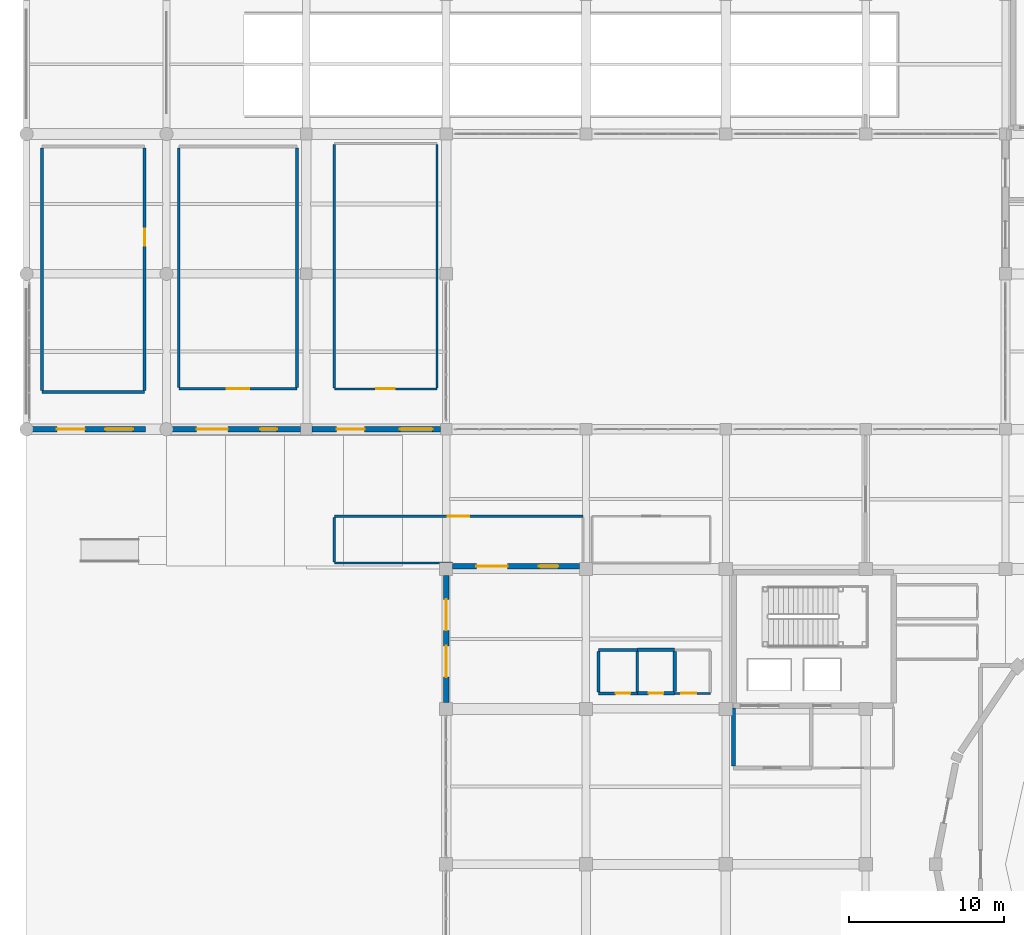
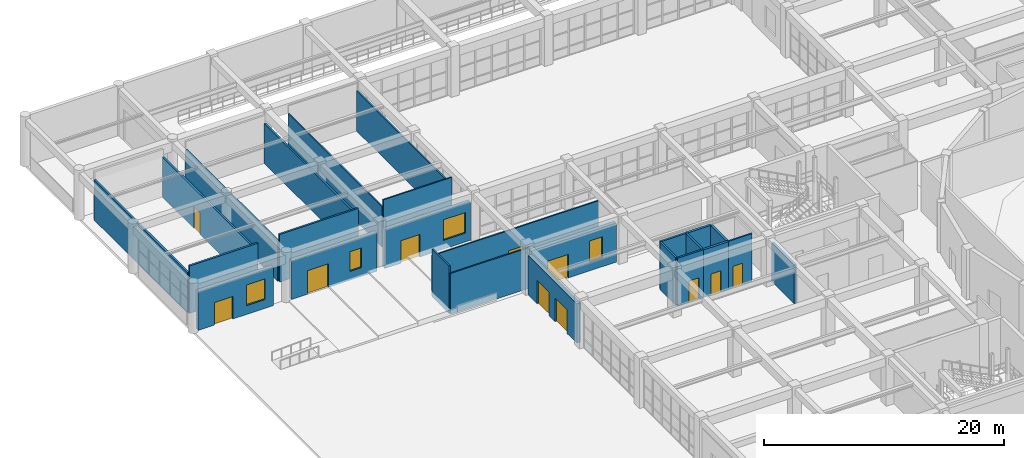
# One storey, part 106 of 128: 26 walls, 13 doors, 4 windows, 17 openings.
"""IFC4 building model written with IfcOpenShell, lengths in metres."""

from ifc_helpers import new_model, si_unit, direction, frame, frame_2d, origin, place, context, subcontext, project, spatial, rectangle, extrude, material, layer, layer_set, type_object, element, fill, save


model = new_model("IFC4")

# Units and contexts
model_context = context("Model", 3, precision=1e-05, world=origin(), true_north=direction((0.0, 1.0)))
body_context = subcontext(model_context, "Body", "Model", "MODEL_VIEW")
ifc_project = project(units=[si_unit("LENGTHUNIT", "METRE"), si_unit("AREAUNIT", "SQUARE_METRE"), si_unit("VOLUMEUNIT", "CUBIC_METRE"), si_unit("PLANEANGLEUNIT", "RADIAN"), si_unit("MASSUNIT", "GRAM", prefix="KILO")], contexts=[model_context])

# Site, building, storey
site_placement = place(None, origin())
site = spatial("IfcSite", under=ifc_project, at=site_placement, CompositionType="ELEMENT")
building_placement = place(site_placement, origin())
building = spatial("IfcBuilding", under=site, at=building_placement, Name="Miravela Opera House", CompositionType="ELEMENT")
storey_placement = place(building_placement, origin())
storey = spatial("IfcBuildingStorey", under=building, at=storey_placement, Name="L00", CompositionType="ELEMENT", Elevation=0.0)

# Wall, openings, doors
ifc_material_1 = material(Name="Dark Guatemalan volcanic basalt stone ashlar", Category="masonry")
ifc_layer_1 = layer(ifc_material_1, 0.360107421875)
ifc_layer_set_1 = layer_set([ifc_layer_1])
wall_type_1 = type_object("IfcWallType", Name="ARC-EW-BASALT-360", PredefinedType="STANDARD", material=ifc_layer_set_1)
wall_1_placement = place(storey_placement, frame((27.0, 66.425048828125, 0.0), z_axis=(0.0, 0.0, 1.0), x_axis=(0.0, 1.0, 0.0)))
wall_1 = element("IfcWall", 1, at=wall_1_placement, inside=storey, type_object=wall_type_1, Name="West Foyer North Basalt Entrance Portal", PredefinedType="STANDARD", context=body_context, shape_type="SweptSolid", body=[
    extrude(rectangle(XDim=8.14990234375, YDim=0.360107421875, at=frame_2d((4.074951171875, 0.0))), origin(), (0.0, 0.0, 1.0), 4.0),
])
opening_1_placement = place(wall_1_placement, frame((1.625, 0.0, 0.0)))
opening_1 = element("IfcOpeningElement", 2, at=opening_1_placement, cuts=wall_1, Name="Opening EX-01", PredefinedType="OPENING", context=body_context, shape_type="SweptSolid", body=[
    extrude(rectangle(XDim=2.0, YDim=2.39990234375, at=frame_2d((1.0, 1.199951171875))), frame((0.0, 0.18994140625, 0.0), z_axis=(0.0, -1.0, 0.0), x_axis=(1.0, 0.0, 0.0)), (0.0, 0.0, 1.0), 0.380126953125),
])
opening_2_placement = place(wall_1_placement, frame((4.625, 0.0, 0.0)))
opening_2 = element("IfcOpeningElement", 3, at=opening_2_placement, cuts=wall_1, Name="Opening EX-01", PredefinedType="OPENING", context=body_context, shape_type="SweptSolid", body=[
    extrude(rectangle(XDim=2.0, YDim=2.39990234375, at=frame_2d((1.0, 1.199951171875))), frame((0.0, 0.18994140625, 0.0), z_axis=(0.0, -1.0, 0.0), x_axis=(1.0, 0.0, 0.0)), (0.0, 0.0, 1.0), 0.380126953125),
])
ifc_material_2 = material(Name="Anodised architectural bronze aluminium 6063-T6", Category="aluminium")
door_type_1 = type_object("IfcDoorType", Name="ARC-EXD-2000X2400", OperationType="NOTDEFINED", PredefinedType="DOOR", material=ifc_material_2)
door_1_placement = place(opening_1_placement, origin())
door_1 = element("IfcDoor", 4, at=door_1_placement, inside=storey, type_object=door_type_1, Name="Grand Foyer West Exit Door North 1 EXD-L00-003", OperationType="DOUBLE_DOOR_SINGLE_SWING", OverallHeight=2.39990234375, OverallWidth=2.0, PredefinedType="DOOR", context=body_context, shape_type="SweptSolid", body=[
    extrude(rectangle(XDim=2.0, YDim=2.39990234375, at=frame_2d((1.0, 1.199951171875))), frame((0.0, 0.02490234375, 0.0), z_axis=(0.0, -1.0, 0.0), x_axis=(1.0, 0.0, 0.0)), (0.0, 0.0, 1.0), 0.050048828125),
])
fill(opening_1, door_1)
door_2_placement = place(opening_2_placement, origin())
door_2 = element("IfcDoor", 5, at=door_2_placement, inside=storey, type_object=door_type_1, Name="Grand Foyer West Exit Door North 2 EXD-L00-004", OperationType="DOUBLE_DOOR_SINGLE_SWING", OverallHeight=2.39990234375, OverallWidth=2.0, PredefinedType="DOOR", context=body_context, shape_type="SweptSolid", body=[
    extrude(rectangle(XDim=2.0, YDim=2.39990234375, at=frame_2d((1.0, 1.199951171875))), frame((0.0, 0.02490234375, 0.0), z_axis=(0.0, -1.0, 0.0), x_axis=(1.0, 0.0, 0.0)), (0.0, 0.0, 1.0), 0.050048828125),
])
fill(opening_2, door_2)

# Wall, openings, door, window
wall_2_placement = place(storey_placement, frame((0.39111328125, 84.0, 0.0), z_axis=(0.0, 0.0, 1.0), x_axis=(1.0, 0.0, 0.0)))
wall_2 = element("IfcWall", 6, at=wall_2_placement, inside=storey, type_object=wall_type_1, Name="West Arcade North Forecourt Exit Wall", PredefinedType="STANDARD", context=body_context, shape_type="SweptSolid", body=[
    extrude(rectangle(XDim=7.2587890625, YDim=0.360107421875, at=frame_2d((3.62939453125, 0.0))), origin(), (0.0, 0.0, 1.0), 3.929931640625),
])
opening_3_placement = place(wall_2_placement, frame((1.55908203125, 0.0, 0.0)))
opening_3 = element("IfcOpeningElement", 7, at=opening_3_placement, cuts=wall_2, Name="Opening EX-02", PredefinedType="OPENING", context=body_context, shape_type="SweptSolid", body=[
    extrude(rectangle(XDim=1.800048828125, YDim=2.300048828125, at=frame_2d((0.89990234375, 1.14990234375))), frame((0.0, 0.18994140625, 0.0), z_axis=(0.0, -1.0, 0.0), x_axis=(1.0, 0.0, 0.0)), (0.0, 0.0, 1.0), 0.380126953125),
])
opening_4_placement = place(wall_2_placement, frame((4.658935546875, 0.0, 0.89990234375)))
opening_4 = element("IfcOpeningElement", 8, at=opening_4_placement, cuts=wall_2, Name="Opening W-03", PredefinedType="OPENING", context=body_context, shape_type="SweptSolid", body=[
    extrude(rectangle(XDim=1.800048828125, YDim=2.10009765625, at=frame_2d((0.89990234375, 1.050048828125))), frame((0.0, 0.18994140625, 0.0), z_axis=(0.0, -1.0, 0.0), x_axis=(1.0, 0.0, 0.0)), (0.0, 0.0, 1.0), 0.380126953125),
])
door_type_2 = type_object("IfcDoorType", Name="ARC-EXD-1800X2300", OperationType="NOTDEFINED", PredefinedType="DOOR", material=ifc_material_2)
door_3_placement = place(opening_3_placement, frame((1.800048828125, 0.0, 0.0), z_axis=(0.0, 0.0, 1.0), x_axis=(-1.0, 0.0, 0.0)))
door_3 = element("IfcDoor", 9, at=door_3_placement, inside=storey, type_object=door_type_2, Name="West Arcade North Forecourt Exit EXD-L00-008", OperationType="DOUBLE_DOOR_SINGLE_SWING", OverallHeight=2.300048828125, OverallWidth=1.800048828125, PredefinedType="DOOR", context=body_context, shape_type="SweptSolid", body=[
    extrude(rectangle(XDim=1.800048828125, YDim=2.300048828125, at=frame_2d((0.89990234375, 1.14990234375))), frame((0.0, 0.02490234375, 0.0), z_axis=(0.0, -1.0, 0.0), x_axis=(1.0, 0.0, 0.0)), (0.0, 0.0, 1.0), 0.050048828125),
])
fill(opening_3, door_3)
ifc_material_3 = material(Name="Bronze-anodised aluminium and acoustic low-E glass", Category="aluminium")
window_type_1 = type_object("IfcWindowType", Name="ARC-WIN-03", PartitioningType="DOUBLE_PANEL_VERTICAL", PredefinedType="WINDOW", material=ifc_material_3)
window_1_placement = place(opening_4_placement, origin())
window_1 = element("IfcWindow", 10, at=window_1_placement, inside=storey, type_object=window_type_1, Name="Window W-03 #003", OverallHeight=2.10009765625, OverallWidth=1.800048828125, PartitioningType="DOUBLE_PANEL_VERTICAL", PredefinedType="WINDOW", context=body_context, shape_type="SweptSolid", body=[
    extrude(rectangle(XDim=1.800048828125, YDim=2.10009765625, at=frame_2d((0.89990234375, 1.050048828125))), frame((0.0, 0.030029296875, 0.0), z_axis=(0.0, -1.0, 0.0), x_axis=(1.0, 0.0, 0.0)), (0.0, 0.0, 1.0), 0.06005859375),
])
fill(opening_4, window_1)

wall_3_placement = place(storey_placement, frame((18.375, 84.0, 0.0), z_axis=(0.0, 0.0, 1.0), x_axis=(1.0, 0.0, 0.0)))
wall_3 = element("IfcWall", 11, at=wall_3_placement, inside=storey, type_object=wall_type_1, Name="North Foyer Forecourt Exit Wall", PredefinedType="STANDARD", context=body_context, shape_type="SweptSolid", body=[
    extrude(rectangle(XDim=8.25, YDim=0.360107421875, at=frame_2d((4.125, 0.0))), origin(), (0.0, 0.0, 1.0), 3.929931640625),
])
opening_5_placement = place(wall_3_placement, frame((1.574951171875, 0.0, 0.0)))
opening_5 = element("IfcOpeningElement", 12, at=opening_5_placement, cuts=wall_3, Name="Opening EX-02", PredefinedType="OPENING", context=body_context, shape_type="SweptSolid", body=[
    extrude(rectangle(XDim=1.800048828125, YDim=2.300048828125, at=frame_2d((0.89990234375, 1.14990234375))), frame((0.0, 0.18994140625, 0.0), z_axis=(0.0, -1.0, 0.0), x_axis=(1.0, 0.0, 0.0)), (0.0, 0.0, 1.0), 0.380126953125),
])
opening_6_placement = place(wall_3_placement, frame((5.64990234375, 0.0, 0.89990234375)))
opening_6 = element("IfcOpeningElement", 13, at=opening_6_placement, cuts=wall_3, Name="Opening W-04", PredefinedType="OPENING", context=body_context, shape_type="SweptSolid", body=[
    extrude(rectangle(XDim=2.10009765625, YDim=2.10009765625, at=frame_2d((1.050048828125, 1.050048828125))), frame((0.0, 0.18994140625, 0.0), z_axis=(0.0, -1.0, 0.0), x_axis=(1.0, 0.0, 0.0)), (0.0, 0.0, 1.0), 0.380126953125),
])
door_4_placement = place(opening_5_placement, frame((1.800048828125, 0.0, 0.0), z_axis=(0.0, 0.0, 1.0), x_axis=(-1.0, 0.0, 0.0)))
door_4 = element("IfcDoor", 14, at=door_4_placement, inside=storey, type_object=door_type_2, Name="North Foyer Forecourt Exit EXD-L00-009", OperationType="DOUBLE_DOOR_SINGLE_SWING", OverallHeight=2.300048828125, OverallWidth=1.800048828125, PredefinedType="DOOR", context=body_context, shape_type="SweptSolid", body=[
    extrude(rectangle(XDim=1.800048828125, YDim=2.300048828125, at=frame_2d((0.89990234375, 1.14990234375))), frame((0.0, 0.02490234375, 0.0), z_axis=(0.0, -1.0, 0.0), x_axis=(1.0, 0.0, 0.0)), (0.0, 0.0, 1.0), 0.050048828125),
])
fill(opening_5, door_4)
window_type_2 = type_object("IfcWindowType", Name="ARC-WIN-04", PartitioningType="TRIPLE_PANEL_VERTICAL", PredefinedType="WINDOW", material=ifc_material_3)
window_2_placement = place(opening_6_placement, origin())
window_2 = element("IfcWindow", 15, at=window_2_placement, inside=storey, type_object=window_type_2, Name="Window W-04 #004", OverallHeight=2.10009765625, OverallWidth=2.10009765625, PartitioningType="TRIPLE_PANEL_VERTICAL", PredefinedType="WINDOW", context=body_context, shape_type="SweptSolid", body=[
    extrude(rectangle(XDim=2.10009765625, YDim=2.10009765625, at=frame_2d((1.050048828125, 1.050048828125))), frame((0.0, 0.030029296875, 0.0), z_axis=(0.0, -1.0, 0.0), x_axis=(1.0, 0.0, 0.0)), (0.0, 0.0, 1.0), 0.06005859375),
])
fill(opening_6, window_2)

wall_4_placement = place(storey_placement, frame((9.39111328125, 84.0, 0.0), z_axis=(0.0, 0.0, 1.0), x_axis=(1.0, 0.0, 0.0)))
wall_4 = element("IfcWall", 16, at=wall_4_placement, inside=storey, type_object=wall_type_1, Name="North Arcade Forecourt Exit Wall", PredefinedType="STANDARD", context=body_context, shape_type="SweptSolid", body=[
    extrude(rectangle(XDim=8.23388671875, YDim=0.360107421875, at=frame_2d((4.116943359375, 0.0))), origin(), (0.0, 0.0, 1.0), 3.929931640625),
])
opening_7_placement = place(wall_4_placement, frame((1.55908203125, 0.0, 0.0)))
opening_7 = element("IfcOpeningElement", 17, at=opening_7_placement, cuts=wall_4, Name="Opening EX-01", PredefinedType="OPENING", context=body_context, shape_type="SweptSolid", body=[
    extrude(rectangle(XDim=2.0, YDim=2.39990234375, at=frame_2d((1.0, 1.199951171875))), frame((0.0, 0.18994140625, 0.0), z_axis=(0.0, -1.0, 0.0), x_axis=(1.0, 0.0, 0.0)), (0.0, 0.0, 1.0), 0.380126953125),
])
opening_8_placement = place(wall_4_placement, frame((5.634033203125, 0.0, 0.89990234375)))
opening_8 = element("IfcOpeningElement", 18, at=opening_8_placement, cuts=wall_4, Name="Opening W-22", PredefinedType="OPENING", context=body_context, shape_type="SweptSolid", body=[
    extrude(rectangle(XDim=1.10009765625, YDim=2.0, at=frame_2d((0.550048828125, 1.0))), frame((0.0, 0.18994140625, 0.0), z_axis=(0.0, -1.0, 0.0), x_axis=(1.0, 0.0, 0.0)), (0.0, 0.0, 1.0), 0.380126953125),
])
door_5_placement = place(opening_7_placement, frame((2.0, 0.0, 0.0), z_axis=(0.0, 0.0, 1.0), x_axis=(-1.0, 0.0, 0.0)))
door_5 = element("IfcDoor", 19, at=door_5_placement, inside=storey, type_object=door_type_1, Name="North Arcade Forecourt Exit EXD-L00-021", OperationType="DOUBLE_DOOR_SINGLE_SWING", OverallHeight=2.39990234375, OverallWidth=2.0, PredefinedType="DOOR", context=body_context, shape_type="SweptSolid", body=[
    extrude(rectangle(XDim=2.0, YDim=2.39990234375, at=frame_2d((1.0, 1.199951171875))), frame((0.0, 0.02490234375, 0.0), z_axis=(0.0, -1.0, 0.0), x_axis=(1.0, 0.0, 0.0)), (0.0, 0.0, 1.0), 0.050048828125),
])
fill(opening_7, door_5)
window_type_3 = type_object("IfcWindowType", Name="ARC-WIN-22", PartitioningType="SINGLE_PANEL", PredefinedType="WINDOW", material=ifc_material_3)
window_3_placement = place(opening_8_placement, origin())
window_3 = element("IfcWindow", 20, at=window_3_placement, inside=storey, type_object=window_type_3, Name="Window W-22 #016", OverallHeight=2.0, OverallWidth=1.10009765625, PartitioningType="SINGLE_PANEL", PredefinedType="WINDOW", context=body_context, shape_type="SweptSolid", body=[
    extrude(rectangle(XDim=1.10009765625, YDim=2.0, at=frame_2d((0.550048828125, 1.0))), frame((0.0, 0.030029296875, 0.0), z_axis=(0.0, -1.0, 0.0), x_axis=(1.0, 0.0, 0.0)), (0.0, 0.0, 1.0), 0.06005859375),
])
fill(opening_8, window_3)

wall_5_placement = place(storey_placement, frame((27.425048828125, 75.179931640625, 0.0), z_axis=(0.0, 0.0, 1.0), x_axis=(1.0, 0.0, 0.0)))
wall_5 = element("IfcWall", 21, at=wall_5_placement, inside=storey, type_object=wall_type_1, Name="Court of Honour Promenade Exit Wall", PredefinedType="STANDARD", context=body_context, shape_type="SweptSolid", body=[
    extrude(rectangle(XDim=8.14990234375, YDim=0.360107421875, at=frame_2d((4.074951171875, 0.0))), origin(), (0.0, 0.0, 1.0), 3.97998046875),
])
opening_9_placement = place(wall_5_placement, frame((1.52490234375, 0.0, 0.0)))
opening_9 = element("IfcOpeningElement", 22, at=opening_9_placement, cuts=wall_5, Name="Opening EX-01", PredefinedType="OPENING", context=body_context, shape_type="SweptSolid", body=[
    extrude(rectangle(XDim=2.0, YDim=2.39990234375, at=frame_2d((1.0, 1.199951171875))), frame((0.0, 0.18994140625, 0.0), z_axis=(0.0, -1.0, 0.0), x_axis=(1.0, 0.0, 0.0)), (0.0, 0.0, 1.0), 0.380126953125),
])
opening_10_placement = place(wall_5_placement, frame((5.550048828125, 0.0, 0.89990234375)))
opening_10 = element("IfcOpeningElement", 23, at=opening_10_placement, cuts=wall_5, Name="Opening W-23", PredefinedType="OPENING", context=body_context, shape_type="SweptSolid", body=[
    extrude(rectangle(XDim=1.25, YDim=2.14990234375, at=frame_2d((0.625, 1.074951171875))), frame((0.0, 0.18994140625, 0.0), z_axis=(0.0, -1.0, 0.0), x_axis=(1.0, 0.0, 0.0)), (0.0, 0.0, 1.0), 0.380126953125),
])
door_6_placement = place(opening_9_placement, origin())
door_6 = element("IfcDoor", 24, at=door_6_placement, inside=storey, type_object=door_type_1, Name="Court of Honour Promenade Exit EXD-L00-022", OperationType="DOUBLE_DOOR_SINGLE_SWING", OverallHeight=2.39990234375, OverallWidth=2.0, PredefinedType="DOOR", context=body_context, shape_type="SweptSolid", body=[
    extrude(rectangle(XDim=2.0, YDim=2.39990234375, at=frame_2d((1.0, 1.199951171875))), frame((0.0, 0.02490234375, 0.0), z_axis=(0.0, -1.0, 0.0), x_axis=(1.0, 0.0, 0.0)), (0.0, 0.0, 1.0), 0.050048828125),
])
fill(opening_9, door_6)
window_type_4 = type_object("IfcWindowType", Name="ARC-WIN-23", PartitioningType="SINGLE_PANEL", PredefinedType="WINDOW", material=ifc_material_3)
window_4_placement = place(opening_10_placement, origin())
window_4 = element("IfcWindow", 25, at=window_4_placement, inside=storey, type_object=window_type_4, Name="Window W-23 #017", OverallHeight=2.14990234375, OverallWidth=1.25, PartitioningType="SINGLE_PANEL", PredefinedType="WINDOW", context=body_context, shape_type="SweptSolid", body=[
    extrude(rectangle(XDim=1.25, YDim=2.14990234375, at=frame_2d((0.625, 1.074951171875))), frame((0.0, 0.030029296875, 0.0), z_axis=(0.0, -1.0, 0.0), x_axis=(1.0, 0.0, 0.0)), (0.0, 0.0, 1.0), 0.06005859375),
])
fill(opening_10, window_4)

# Wall, opening, door
ifc_material_4 = material(Name="Sanitary chase acoustic plumbing wall")
ifc_layer_2 = layer(ifc_material_4, 0.139892578125)
ifc_layer_set_2 = layer_set([ifc_layer_2])
wall_type_2 = type_object("IfcWallType", Name="ARC-PLW-150", PredefinedType="PLUMBINGWALL", material=ifc_layer_set_2)
wall_6_placement = place(storey_placement, frame((41.699951171875, 67.0, 0.0), z_axis=(0.0, 0.0, 1.0), x_axis=(1.0, 0.0, 0.0)))
wall_6 = element("IfcWall", 26, at=wall_6_placement, inside=storey, type_object=wall_type_2, Name="Male Public WC L00 Partition South", PredefinedType="PLUMBINGWALL", context=body_context, shape_type="SweptSolid", body=[
    extrude(rectangle(XDim=2.300048828125, YDim=0.139892578125, at=frame_2d((1.14990234375, 0.0))), origin(), (0.0, 0.0, 1.0), 4.85009765625),
])
opening_11_placement = place(wall_6_placement, frame((0.4326171875, 0.0, 0.0)))
opening_11 = element("IfcOpeningElement", 27, at=opening_11_placement, cuts=wall_6, Name="Opening ID-01", PredefinedType="OPENING", context=body_context, shape_type="SweptSolid", body=[
    extrude(rectangle(XDim=0.949951171875, YDim=2.14990234375, at=frame_2d((0.47509765625, 1.074951171875))), frame((0.0, 0.079833984375, 0.0), z_axis=(0.0, -1.0, 0.0), x_axis=(1.0, 0.0, 0.0)), (0.0, 0.0, 1.0), 0.159912109375),
])
ifc_material_5 = material(Name="Solid mahogany acoustic room door")
door_type_3 = type_object("IfcDoorType", Name="ARC-DR-950X2150", OperationType="NOTDEFINED", PredefinedType="DOOR", material=ifc_material_5)
door_7_placement = place(opening_11_placement, origin())
door_7 = element("IfcDoor", 28, at=door_7_placement, inside=storey, type_object=door_type_3, Name="Male Public WC L00 Entry Door IDR-L00-0095", OperationType="SINGLE_SWING_LEFT", OverallHeight=2.14990234375, OverallWidth=0.949951171875, PredefinedType="DOOR", context=body_context, shape_type="SweptSolid", body=[
    extrude(rectangle(XDim=0.949951171875, YDim=2.14990234375, at=frame_2d((0.47509765625, 1.074951171875))), frame((0.0, 0.02490234375, 0.0), z_axis=(0.0, -1.0, 0.0), x_axis=(1.0, 0.0, 0.0)), (0.0, 0.0, 1.0), 0.050048828125),
])
fill(opening_11, door_7)

ifc_material_6 = material(Name="Public washroom wet-service chase wall")
ifc_layer_3 = layer(ifc_material_6, 0.179931640625)
ifc_layer_set_3 = layer_set([ifc_layer_3])
wall_type_3 = type_object("IfcWallType", Name="ARC-PLW-180", PredefinedType="PLUMBINGWALL", material=ifc_layer_set_3)
wall_7_placement = place(storey_placement, frame((36.800048828125, 67.0, 0.0), z_axis=(0.0, 0.0, 1.0), x_axis=(1.0, 0.0, 0.0)))
wall_7 = element("IfcWall", 29, at=wall_7_placement, inside=storey, type_object=wall_type_3, Name="Accessible WC L00 Partition South", PredefinedType="PLUMBINGWALL", context=body_context, shape_type="SweptSolid", body=[
    extrude(rectangle(XDim=2.5, YDim=0.179931640625, at=frame_2d((1.25, 0.0))), origin(), (0.0, 0.0, 1.0), 4.85009765625),
])
opening_12_placement = place(wall_7_placement, frame((1.1123046875, 0.0, 0.0)))
opening_12 = element("IfcOpeningElement", 30, at=opening_12_placement, cuts=wall_7, Name="Opening ID-01", PredefinedType="OPENING", context=body_context, shape_type="SweptSolid", body=[
    extrude(rectangle(XDim=0.949951171875, YDim=2.14990234375, at=frame_2d((0.47509765625, 1.074951171875))), frame((0.0, 0.099853515625, 0.0), z_axis=(0.0, -1.0, 0.0), x_axis=(1.0, 0.0, 0.0)), (0.0, 0.0, 1.0), 0.199951171875),
])
door_8_placement = place(opening_12_placement, origin())
door_8 = element("IfcDoor", 31, at=door_8_placement, inside=storey, type_object=door_type_3, Name="Accessible WC L00 Entry Door IDR-L00-0093", OperationType="SINGLE_SWING_LEFT", OverallHeight=2.14990234375, OverallWidth=0.949951171875, PredefinedType="DOOR", context=body_context, shape_type="SweptSolid", body=[
    extrude(rectangle(XDim=0.949951171875, YDim=2.14990234375, at=frame_2d((0.47509765625, 1.074951171875))), frame((0.0, 0.02490234375, 0.0), z_axis=(0.0, -1.0, 0.0), x_axis=(1.0, 0.0, 0.0)), (0.0, 0.0, 1.0), 0.050048828125),
])
fill(opening_12, door_8)

# Walls
wall_8_placement = place(storey_placement, frame((36.800048828125, 69.800048828125, 0.0), z_axis=(0.0, 0.0, 1.0), x_axis=(1.0, 0.0, 0.0)))
element("IfcWall", 32, at=wall_8_placement, inside=storey, type_object=wall_type_3, Name="Accessible WC L00 Partition North", PredefinedType="PLUMBINGWALL", context=body_context, shape_type="SweptSolid", body=[
    extrude(rectangle(XDim=2.5, YDim=0.179931640625, at=frame_2d((1.25, 0.0))), origin(), (0.0, 0.0, 1.0), 4.85009765625),
])
for number, where, z_axis, x_axis, name in (
    (33, (36.800048828125, 67.090087890625, 0.0), (0.0, 0.0, 1.0), (0.0, 1.0, 0.0), "Accessible WC L00 Partition West"),
    (34, (39.300048828125, 67.090087890625, 0.0), (0.0, 0.0, 1.0), (0.0, 1.0, 0.0), "Accessible WC L00 Partition East"),
):
    element("IfcWall", number, at=place(storey_placement, frame(where, z_axis=z_axis, x_axis=x_axis)), inside=storey, type_object=wall_type_3, Name=name, PredefinedType="PLUMBINGWALL", context=body_context, shape_type="SweptSolid", body=[
        extrude(rectangle(XDim=2.619873046875, YDim=0.179931640625, at=frame_2d((1.31005859375, 0.0))), origin(), (0.0, 0.0, 1.0), 4.85009765625),
    ])

# Wall, opening, door
ifc_material_7 = material(Name="Dressing suite sanitary chase wall")
ifc_layer_4 = layer(ifc_material_7, 0.219970703125)
ifc_layer_set_4 = layer_set([ifc_layer_4])
wall_type_4 = type_object("IfcWallType", Name="ARC-PLW-215", PredefinedType="PLUMBINGWALL", material=ifc_layer_set_4)
wall_9_placement = place(storey_placement, frame((39.300048828125, 67.0, 0.0), z_axis=(0.0, 0.0, 1.0), x_axis=(1.0, 0.0, 0.0)))
wall_9 = element("IfcWall", 35, at=wall_9_placement, inside=storey, type_object=wall_type_4, Name="Female Public WC L00 Partition South", PredefinedType="PLUMBINGWALL", context=body_context, shape_type="SweptSolid", body=[
    extrude(rectangle(XDim=2.39990234375, YDim=0.219970703125, at=frame_2d((1.199951171875, 0.0))), origin(), (0.0, 0.0, 1.0), 4.85009765625),
])
opening_13_placement = place(wall_9_placement, frame((0.72509765625, 0.0, 0.0)))
opening_13 = element("IfcOpeningElement", 36, at=opening_13_placement, cuts=wall_9, Name="Opening ID-01", PredefinedType="OPENING", context=body_context, shape_type="SweptSolid", body=[
    extrude(rectangle(XDim=0.949951171875, YDim=2.14990234375, at=frame_2d((0.47509765625, 1.074951171875))), frame((0.0, 0.119873046875, 0.0), z_axis=(0.0, -1.0, 0.0), x_axis=(1.0, 0.0, 0.0)), (0.0, 0.0, 1.0), 0.239990234375),
])
door_9_placement = place(opening_13_placement, origin())
door_9 = element("IfcDoor", 37, at=door_9_placement, inside=storey, type_object=door_type_3, Name="Female Public WC L00 Entry Door IDR-L00-0094", OperationType="SINGLE_SWING_RIGHT", OverallHeight=2.14990234375, OverallWidth=0.949951171875, PredefinedType="DOOR", context=body_context, shape_type="SweptSolid", body=[
    extrude(rectangle(XDim=0.949951171875, YDim=2.14990234375, at=frame_2d((0.47509765625, 1.074951171875))), frame((0.0, 0.02490234375, 0.0), z_axis=(0.0, -1.0, 0.0), x_axis=(1.0, 0.0, 0.0)), (0.0, 0.0, 1.0), 0.050048828125),
])
fill(opening_13, door_9)

# Walls
wall_10_placement = place(storey_placement, frame((39.300048828125, 69.800048828125, 0.0), z_axis=(0.0, 0.0, 1.0), x_axis=(1.0, 0.0, 0.0)))
element("IfcWall", 38, at=wall_10_placement, inside=storey, type_object=wall_type_4, Name="Female Public WC L00 Partition North", PredefinedType="PLUMBINGWALL", context=body_context, shape_type="SweptSolid", body=[
    extrude(rectangle(XDim=2.39990234375, YDim=0.219970703125, at=frame_2d((1.199951171875, 0.0))), origin(), (0.0, 0.0, 1.0), 4.85009765625),
])
wall_11_placement = place(storey_placement, frame((41.699951171875, 67.110107421875, 0.0), z_axis=(0.0, 0.0, 1.0), x_axis=(0.0, 1.0, 0.0)))
element("IfcWall", 39, at=wall_11_placement, inside=storey, type_object=wall_type_4, Name="Female Public WC L00 Partition East", PredefinedType="PLUMBINGWALL", context=body_context, shape_type="SweptSolid", body=[
    extrude(rectangle(XDim=2.579833984375, YDim=0.219970703125, at=frame_2d((1.2900390625, 0.0))), origin(), (0.0, 0.0, 1.0), 4.85009765625),
])

# Wall, opening, door
ifc_material_8 = material(Name="Fire-rated acoustic gypsum partition")
ifc_layer_5 = layer(ifc_material_8, 0.1298828125)
ifc_layer_set_5 = layer_set([ifc_layer_5])
wall_type_5 = type_object("IfcWallType", Name="ARC-PT-130", PredefinedType="PARTITIONING", material=ifc_layer_set_5)
wall_12_placement = place(storey_placement, frame((19.800048828125, 86.60009765625, 0.0), z_axis=(0.0, 0.0, 1.0), x_axis=(1.0, 0.0, 0.0)))
wall_12 = element("IfcWall", 40, at=wall_12_placement, inside=storey, type_object=wall_type_5, Name="Orchestra Library Preparation Suite Partition South", PredefinedType="PARTITIONING", context=body_context, shape_type="SweptSolid", body=[
    extrude(rectangle(XDim=6.599853515625, YDim=0.1298828125, at=frame_2d((3.2998046875, 0.0))), origin(), (0.0, 0.0, 1.0), 4.85009765625),
])
opening_14_placement = place(wall_12_placement, frame((2.7099609375, 0.0, 0.0)))
opening_14 = element("IfcOpeningElement", 41, at=opening_14_placement, cuts=wall_12, Name="Opening ID-25", PredefinedType="OPENING", context=body_context, shape_type="SweptSolid", body=[
    extrude(rectangle(XDim=1.179931640625, YDim=2.080078125, at=frame_2d((0.58984375, 1.0400390625))), frame((0.0, 0.074951171875, 0.0), z_axis=(0.0, -1.0, 0.0), x_axis=(1.0, 0.0, 0.0)), (0.0, 0.0, 1.0), 0.14990234375),
])
ifc_material_9 = material(Name="Hardwood acoustic timber door leaf", Category="wood")
door_type_4 = type_object("IfcDoorType", Name="ARC-IDR-118X208", OperationType="NOTDEFINED", PredefinedType="DOOR", material=ifc_material_9)
door_10_placement = place(opening_14_placement, origin())
door_10 = element("IfcDoor", 42, at=door_10_placement, inside=storey, type_object=door_type_4, Name="Orchestra Library Preparation Suite Entry Door IDR-L00-0128", OperationType="SINGLE_SWING_LEFT", OverallHeight=2.080078125, OverallWidth=1.179931640625, PredefinedType="DOOR", context=body_context, shape_type="SweptSolid", body=[
    extrude(rectangle(XDim=1.179931640625, YDim=2.080078125, at=frame_2d((0.58984375, 1.0400390625))), frame((0.0, 0.02490234375, 0.0), z_axis=(0.0, -1.0, 0.0), x_axis=(1.0, 0.0, 0.0)), (0.0, 0.0, 1.0), 0.050048828125),
])
fill(opening_14, door_10)

# Walls
for number, where, z_axis, x_axis, name in (
    (43, (19.800048828125, 86.6650390625, 0.0), (0.0, 0.0, 1.0), (0.0, 1.0, 0.0), "Orchestra Library Preparation Suite Partition West"),
    (44, (26.39990234375, 86.6650390625, 0.0), (0.0, 0.0, 1.0), (0.0, 1.0, 0.0), "Orchestra Library Preparation Suite Partition East"),
):
    element("IfcWall", number, at=place(storey_placement, frame(where, z_axis=z_axis, x_axis=x_axis)), inside=storey, type_object=wall_type_5, Name=name, PredefinedType="PARTITIONING", context=body_context, shape_type="SweptSolid", body=[
        extrude(rectangle(XDim=15.669921875, YDim=0.1298828125, at=frame_2d((7.8349609375, 0.0))), origin(), (0.0, 0.0, 1.0), 4.10009765625),
    ])
wall_13_placement = place(storey_placement, frame((19.800048828125, 75.39990234375, 0.0), z_axis=(0.0, 0.0, 1.0), x_axis=(1.0, 0.0, 0.0)))
element("IfcWall", 45, at=wall_13_placement, inside=storey, type_object=wall_type_5, Name="Orchestral Archive Annex Partition South", PredefinedType="PARTITIONING", context=body_context, shape_type="SweptSolid", body=[
    extrude(rectangle(XDim=7.625, YDim=0.1298828125, at=frame_2d((3.8125, 0.0))), origin(), (0.0, 0.0, 1.0), 4.14990234375),
])

# Wall, opening, door
wall_14_placement = place(storey_placement, frame((19.800048828125, 78.39990234375, 0.0), z_axis=(0.0, 0.0, 1.0), x_axis=(1.0, 0.0, 0.0)))
wall_14 = element("IfcWall", 46, at=wall_14_placement, inside=storey, type_object=wall_type_5, Name="Orchestral Archive Annex Partition North", PredefinedType="PARTITIONING", context=body_context, shape_type="SweptSolid", body=[
    extrude(rectangle(XDim=16.0, YDim=0.1298828125, at=frame_2d((8.0, 0.0))), origin(), (0.0, 0.0, 1.0), 4.14990234375),
])
opening_15_placement = place(wall_14_placement, frame((7.31005859375, 0.0, 0.0)))
opening_15 = element("IfcOpeningElement", 47, at=opening_15_placement, cuts=wall_14, Name="Opening ID-34", PredefinedType="OPENING", context=body_context, shape_type="SweptSolid", body=[
    extrude(rectangle(XDim=1.3798828125, YDim=2.080078125, at=frame_2d((0.68994140625, 1.0400390625))), frame((0.0, 0.074951171875, 0.0), z_axis=(0.0, -1.0, 0.0), x_axis=(1.0, 0.0, 0.0)), (0.0, 0.0, 1.0), 0.14990234375),
])
door_type_5 = type_object("IfcDoorType", Name="ARC-IDR-138X208", OperationType="NOTDEFINED", PredefinedType="DOOR", material=ifc_material_9)
door_11_placement = place(opening_15_placement, origin())
door_11 = element("IfcDoor", 48, at=door_11_placement, inside=storey, type_object=door_type_5, Name="Orchestral Archive Annex Entry Door IDR-L00-0137", OperationType="DOUBLE_DOOR_SINGLE_SWING", OverallHeight=2.080078125, OverallWidth=1.3798828125, PredefinedType="DOOR", context=body_context, shape_type="SweptSolid", body=[
    extrude(rectangle(XDim=1.3798828125, YDim=2.080078125, at=frame_2d((0.68994140625, 1.0400390625))), frame((0.0, 0.02490234375, 0.0), z_axis=(0.0, -1.0, 0.0), x_axis=(1.0, 0.0, 0.0)), (0.0, 0.0, 1.0), 0.050048828125),
])
fill(opening_15, door_11)

# Wall
wall_15_placement = place(storey_placement, frame((19.800048828125, 75.465087890625, 0.0), z_axis=(0.0, 0.0, 1.0), x_axis=(0.0, 1.0, 0.0)))
element("IfcWall", 49, at=wall_15_placement, inside=storey, type_object=wall_type_5, Name="Orchestral Archive Annex Partition West", PredefinedType="PARTITIONING", context=body_context, shape_type="SweptSolid", body=[
    extrude(rectangle(XDim=2.869873046875, YDim=0.1298828125, at=frame_2d((1.43505859375, 0.0))), origin(), (0.0, 0.0, 1.0), 4.85009765625),
])

# Wall, opening, door
ifc_material_10 = material(Name="Rehearsal isolated acoustic partition")
ifc_layer_6 = layer(ifc_material_10, 0.169921875)
ifc_layer_set_6 = layer_set([ifc_layer_6])
wall_type_6 = type_object("IfcWallType", Name="ARC-PT-170", PredefinedType="PARTITIONING", material=ifc_layer_set_6)
wall_16_placement = place(storey_placement, frame((9.800048828125, 86.60009765625, 0.0), z_axis=(0.0, 0.0, 1.0), x_axis=(1.0, 0.0, 0.0)))
wall_16 = element("IfcWall", 50, at=wall_16_placement, inside=storey, type_object=wall_type_6, Name="Patron Cloakroom and Reception Lounge Partition South", PredefinedType="PARTITIONING", context=body_context, shape_type="SweptSolid", body=[
    extrude(rectangle(XDim=7.599853515625, YDim=0.169921875, at=frame_2d((3.7998046875, 0.0))), origin(), (0.0, 0.0, 1.0), 4.85009765625),
])
opening_16_placement = place(wall_16_placement, frame((3.070068359375, 0.0, 0.0)))
opening_16 = element("IfcOpeningElement", 51, at=opening_16_placement, cuts=wall_16, Name="Opening ID-37", PredefinedType="OPENING", context=body_context, shape_type="SweptSolid", body=[
    extrude(rectangle(XDim=1.4599609375, YDim=2.080078125, at=frame_2d((0.72998046875, 1.0400390625))), frame((0.0, 0.094970703125, 0.0), z_axis=(0.0, -1.0, 0.0), x_axis=(1.0, 0.0, 0.0)), (0.0, 0.0, 1.0), 0.18994140625),
])
door_type_6 = type_object("IfcDoorType", Name="ARC-IDR-146X208", OperationType="NOTDEFINED", PredefinedType="DOOR", material=ifc_material_9)
door_12_placement = place(opening_16_placement, origin())
door_12 = element("IfcDoor", 52, at=door_12_placement, inside=storey, type_object=door_type_6, Name="Patron Cloakroom and Reception Lounge Entry Door IDR-L00-0140", OperationType="DOUBLE_DOOR_SINGLE_SWING", OverallHeight=2.080078125, OverallWidth=1.4599609375, PredefinedType="DOOR", context=body_context, shape_type="SweptSolid", body=[
    extrude(rectangle(XDim=1.4599609375, YDim=2.080078125, at=frame_2d((0.72998046875, 1.0400390625))), frame((0.0, 0.02490234375, 0.0), z_axis=(0.0, -1.0, 0.0), x_axis=(1.0, 0.0, 0.0)), (0.0, 0.0, 1.0), 0.050048828125),
])
fill(opening_16, door_12)

# Walls
for number, where, z_axis, x_axis, name in (
    (53, (9.800048828125, 86.68505859375, 0.0), (0.0, 0.0, 1.0), (0.0, 1.0, 0.0), "Patron Cloakroom and Reception Lounge Partition West"),
    (54, (17.39990234375, 86.68505859375, 0.0), (0.0, 0.0, 1.0), (0.0, 1.0, 0.0), "Patron Cloakroom and Reception Lounge Partition East"),
):
    element("IfcWall", number, at=place(storey_placement, frame(where, z_axis=z_axis, x_axis=x_axis)), inside=storey, type_object=wall_type_6, Name=name, PredefinedType="PARTITIONING", context=body_context, shape_type="SweptSolid", body=[
        extrude(rectangle(XDim=15.429931640625, YDim=0.169921875, at=frame_2d((7.71484375, 0.0))), origin(), (0.0, 0.0, 1.0), 4.080078125),
    ])
ifc_material_11 = material(Name="Corridor fire-resisting masonry partition", Category="masonry")
ifc_layer_7 = layer(ifc_material_11, 0.18994140625)
ifc_layer_set_7 = layer_set([ifc_layer_7])
wall_type_7 = type_object("IfcWallType", Name="ARC-PT-190", PredefinedType="PARTITIONING", material=ifc_layer_set_7)
wall_17_placement = place(storey_placement, frame((1.0, 86.39990234375, 0.0), z_axis=(0.0, 0.0, 1.0), x_axis=(1.0, 0.0, 0.0)))
element("IfcWall", 55, at=wall_17_placement, inside=storey, type_object=wall_type_7, Name="Ticket Box Office and Patron Services Partition South", PredefinedType="PARTITIONING", context=body_context, shape_type="SweptSolid", body=[
    extrude(rectangle(XDim=6.60009765625, YDim=0.18994140625, at=frame_2d((3.300048828125, 0.0))), origin(), (0.0, 0.0, 1.0), 4.85009765625),
])
wall_18_placement = place(storey_placement, frame((1.0, 86.4951171875, 0.0), z_axis=(0.0, 0.0, 1.0), x_axis=(0.0, 1.0, 0.0)))
element("IfcWall", 56, at=wall_18_placement, inside=storey, type_object=wall_type_7, Name="Ticket Box Office and Patron Services Partition West", PredefinedType="PARTITIONING", context=body_context, shape_type="SweptSolid", body=[
    extrude(rectangle(XDim=15.60986328125, YDim=0.18994140625, at=frame_2d((7.804931640625, 0.0))), origin(), (0.0, 0.0, 1.0), 4.080078125),
])

# Wall, opening, door
wall_19_placement = place(storey_placement, frame((7.60009765625, 86.4951171875, 0.0), z_axis=(0.0, 0.0, 1.0), x_axis=(0.0, 1.0, 0.0)))
wall_19 = element("IfcWall", 57, at=wall_19_placement, inside=storey, type_object=wall_type_7, Name="Ticket Box Office and Patron Services Partition East", PredefinedType="PARTITIONING", context=body_context, shape_type="SweptSolid", body=[
    extrude(rectangle(XDim=15.60986328125, YDim=0.18994140625, at=frame_2d((7.804931640625, 0.0))), origin(), (0.0, 0.0, 1.0), 4.080078125),
])
opening_17_placement = place(wall_19_placement, frame((9.318603515625, 0.0, 0.0)))
opening_17 = element("IfcOpeningElement", 58, at=opening_17_placement, cuts=wall_19, Name="Opening ID-21", PredefinedType="OPENING", context=body_context, shape_type="SweptSolid", body=[
    extrude(rectangle(XDim=1.080078125, YDim=2.219970703125, at=frame_2d((0.5400390625, 1.10986328125))), frame((0.0, 0.10498046875, 0.0), z_axis=(0.0, -1.0, 0.0), x_axis=(1.0, 0.0, 0.0)), (0.0, 0.0, 1.0), 0.2099609375),
])
door_type_7 = type_object("IfcDoorType", Name="ARC-IDR-108X222", OperationType="NOTDEFINED", PredefinedType="DOOR", material=ifc_material_9)
door_13_placement = place(opening_17_placement, origin())
door_13 = element("IfcDoor", 59, at=door_13_placement, inside=storey, type_object=door_type_7, Name="Ticket Box Office and Patron Services Entry Door IDR-L00-0122", OperationType="SINGLE_SWING_RIGHT", OverallHeight=2.219970703125, OverallWidth=1.080078125, PredefinedType="DOOR", context=body_context, shape_type="SweptSolid", body=[
    extrude(rectangle(XDim=1.080078125, YDim=2.219970703125, at=frame_2d((0.5400390625, 1.10986328125))), frame((0.0, 0.02490234375, 0.0), z_axis=(0.0, -1.0, 0.0), x_axis=(1.0, 0.0, 0.0)), (0.0, 0.0, 1.0), 0.050048828125),
])
fill(opening_17, door_13)

# Wall
ifc_material_12 = material(Name="Firefighting lobby compartment wall")
ifc_layer_8 = layer(ifc_material_12, 0.25)
ifc_layer_set_8 = layer_set([ifc_layer_8])
wall_type_8 = type_object("IfcWallType", Name="ARC-PT-220", PredefinedType="PARTITIONING", material=ifc_layer_set_8)
wall_20_placement = place(storey_placement, frame((45.5, 62.324951171875, 0.0), z_axis=(0.0, 0.0, 1.0), x_axis=(0.0, 1.0, 0.0)))
element("IfcWall", 60, at=wall_20_placement, inside=storey, type_object=wall_type_8, Name="Firefighting Lobby K1 L00 Partition West", PredefinedType="PARTITIONING", context=body_context, shape_type="SweptSolid", body=[
    extrude(rectangle(XDim=3.75, YDim=0.25, at=frame_2d((1.875, 0.0))), origin(), (0.0, 0.0, 1.0), 3.929931640625),
])

save(model, "model.ifc")
